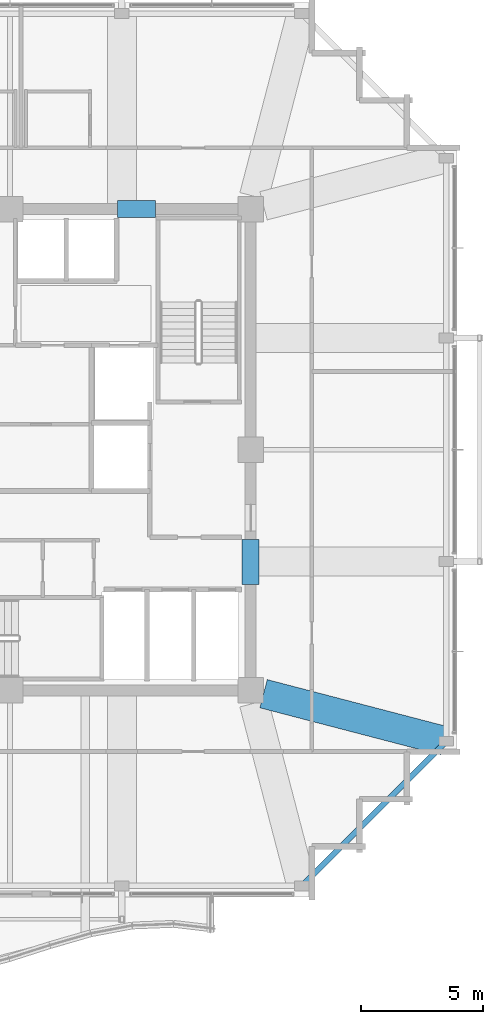
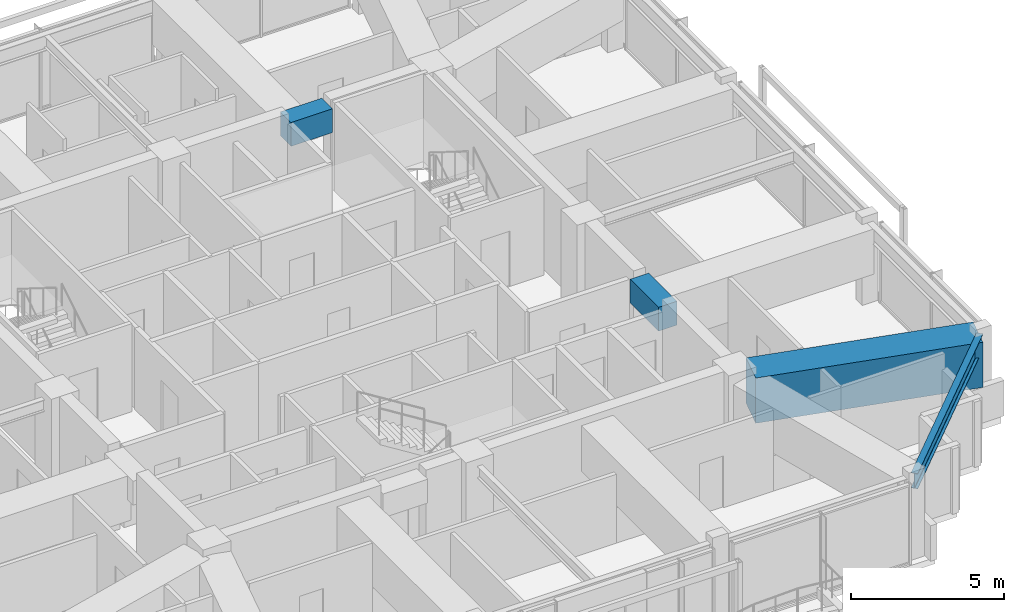
# One storey, part 10 of 30: 4 beams.
"""IFC4 building model written with IfcOpenShell, lengths in metres."""

from ifc_helpers import new_model, si_unit, direction, frame, origin, origin_2d, place, context, subcontext, project, spatial, rectangle, i_section, extrude, material, material_profile, profile_set, type_object, element, save


model = new_model("IFC4")

# Units and contexts
model_context = context("Model", 3, precision=1e-05, world=origin(), true_north=direction((0.0, 1.0)))
body_context = subcontext(model_context, "Body", "Model", "MODEL_VIEW")
ifc_project = project(units=[si_unit("LENGTHUNIT", "METRE"), si_unit("AREAUNIT", "SQUARE_METRE"), si_unit("VOLUMEUNIT", "CUBIC_METRE"), si_unit("PLANEANGLEUNIT", "RADIAN"), si_unit("MASSUNIT", "GRAM", prefix="KILO")], contexts=[model_context])

# Site, building, storey
site_placement = place(None, origin())
site = spatial("IfcSite", under=ifc_project, at=site_placement, CompositionType="ELEMENT")
building_placement = place(site_placement, origin())
building = spatial("IfcBuilding", under=site, at=building_placement, Name="Kolvaren Belvedere", CompositionType="ELEMENT")
storey_placement = place(building_placement, frame((0.0, 0.0, 254.89990234375)))
storey = spatial("IfcBuildingStorey", under=building, at=storey_placement, Name="L74", CompositionType="ELEMENT", Elevation=254.89990234375)

# Beams
ifc_material_1 = material(Name="Concrete C60/75", Category="concrete")
ifc_material_profile_1 = material_profile(ifc_material_1, rectangle(XDim=0.699951171875, YDim=0.949951171875, at=origin_2d()), Name="RC 700X950")
ifc_profile_set_1 = profile_set([ifc_material_profile_1], Name="Concrete C60/75")
beam_type_1 = type_object("IfcBeamType", Name="BM-LINT-950", PredefinedType="LINTEL", material=ifc_profile_set_1)
beam_1_placement = place(storey_placement, frame((4.419921875, 9.89990234375, 2.7451171875), z_axis=(1.0, 0.0, 0.0), x_axis=(0.0, 1.0, 0.0)))
element("IfcBeam", 1, at=beam_1_placement, inside=storey, type_object=beam_type_1, Name="L74 North Core Coupling Lintel", PredefinedType="LINTEL", context=body_context, shape_type="SweptSolid", body=[
    extrude(rectangle(XDim=0.699951171875, YDim=0.949951171875, at=origin_2d()), origin(), (0.0, 0.0, 1.0), 1.56005859375),
])
beam_2_placement = place(storey_placement, frame((9.89990234375, -5.550048828125, 2.7451171875), z_axis=(0.0, 1.0, 0.0), x_axis=(-1.0, 0.0, 0.0)))
element("IfcBeam", 2, at=beam_2_placement, inside=storey, type_object=beam_type_1, Name="L74 East Core Coupling Lintel", PredefinedType="LINTEL", context=body_context, shape_type="SweptSolid", body=[
    extrude(rectangle(XDim=0.699951171875, YDim=0.949951171875, at=origin_2d()), origin(), (0.0, 0.0, 1.0), 1.85009765625),
])
ifc_material_2 = material(Name="Structural steel ASTM A992 Grade 50", Category="steel")
ifc_material_profile_2 = material_profile(ifc_material_2, i_section(OverallWidth=0.22900390625, OverallDepth=0.612060546875, WebThickness=0.011962890625, FlangeThickness=0.01953125, FilletRadius=0.01806640625, at=origin_2d()), Name="W24X84")
ifc_profile_set_2 = profile_set([ifc_material_profile_2], Name="Structural steel ASTM A992 Grade 50")
beam_type_2 = type_object("IfcBeamType", Name="BM-SPAN-W24X84", PredefinedType="SPANDREL", material=ifc_profile_set_2)
beam_3_placement = place(storey_placement, frame((12.063720703125, -17.886474609375, 2.9140625), z_axis=(0.707106781187, 0.707106781187, 0.0), x_axis=(-0.707106781187, 0.707106781187, 0.0)))
element("IfcBeam", 3, at=beam_3_placement, inside=storey, type_object=beam_type_2, Name="L74 Perimeter Spandrel S4-E1", PredefinedType="SPANDREL", context=body_context, shape_type="SweptSolid", body=[
    extrude(i_section(OverallWidth=0.22900390625, OverallDepth=0.612060546875, WebThickness=0.011962890625, FlangeThickness=0.01953125, FilletRadius=0.01806640625, at=origin_2d()), origin(), (0.0, 0.0, 1.0), 8.234619140625),
])
ifc_material_3 = material(Name="Concrete C50/60", Category="concrete")
ifc_material_profile_3 = material_profile(ifc_material_3, rectangle(XDim=1.199951171875, YDim=1.800048828125, at=origin_2d()), Name="RC 1200X1800")
ifc_profile_set_3 = profile_set([ifc_material_profile_3], Name="Concrete C50/60")
beam_type_3 = type_object("IfcBeamType", Name="BM-TG-1800", PredefinedType="BEAM", material=ifc_profile_set_3)
beam_4_placement = place(storey_placement, frame((10.43212890625, -10.038818359375, 2.320068359375), z_axis=(0.967619295388, -0.252414142221, 0.0), x_axis=(0.252414142221, 0.967619295388, 0.0)))
element("IfcBeam", 4, at=beam_4_placement, inside=storey, type_object=beam_type_3, Name="L74 Corner Core-to-Perimeter Girder CC2-E1", PredefinedType="BEAM", context=body_context, shape_type="SweptSolid", body=[
    extrude(rectangle(XDim=1.199951171875, YDim=1.800048828125, at=origin_2d()), origin(), (0.0, 0.0, 1.0), 7.689453125),
])

save(model, "model.ifc")
